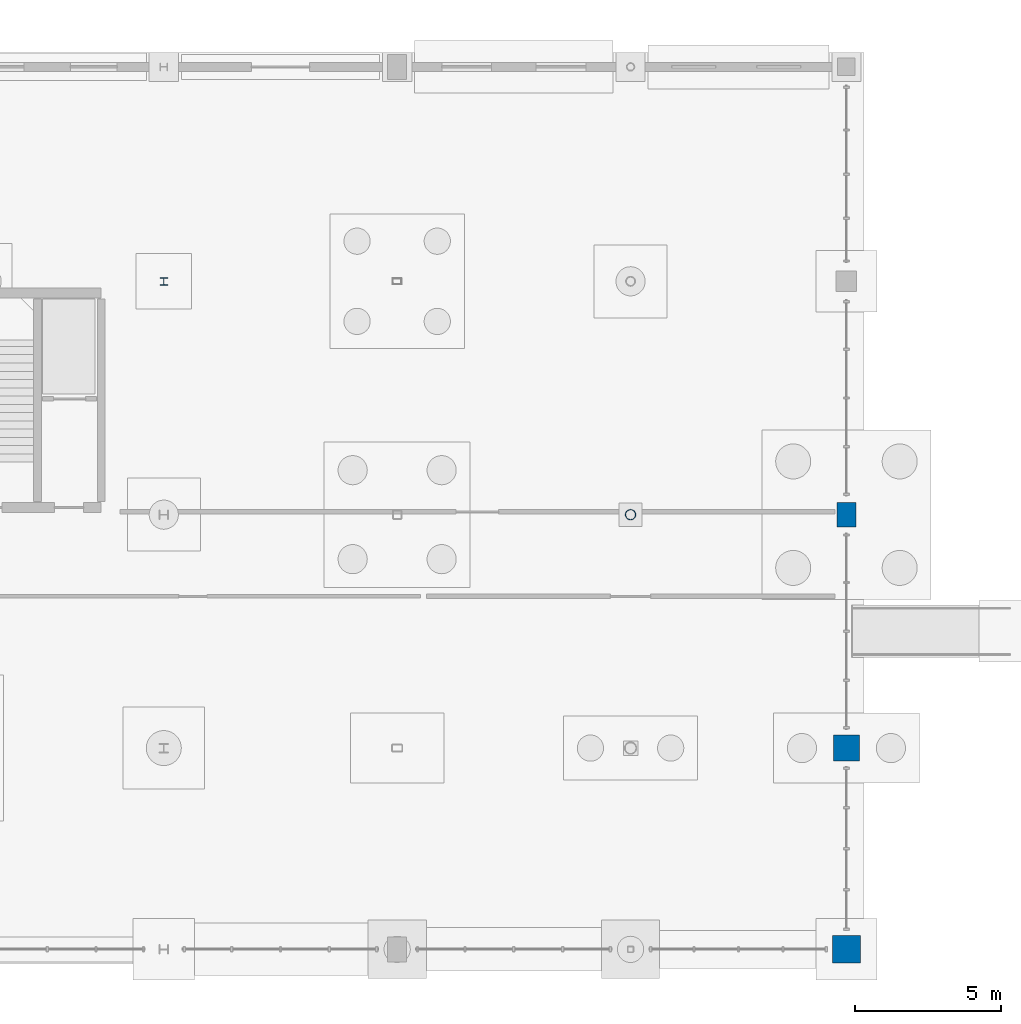
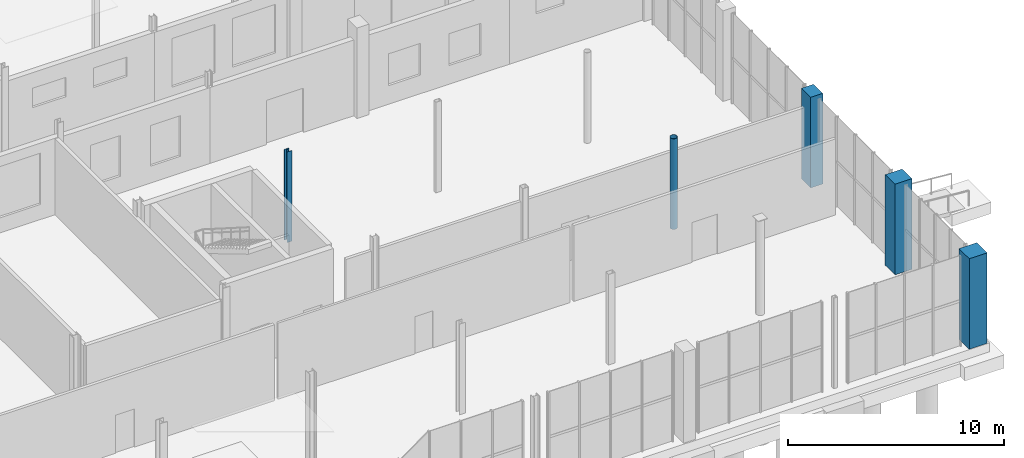
# One storey, part 28 of 87: 5 columns.
"""IFC4 building model written with IfcOpenShell, lengths in metres."""

import ifcopenshell
import ifcopenshell.guid

model = None  # the IFC model being written
_history = None  # IfcOwnerHistory: only IFC2X3 demands one
_inside = {}  # id of a spatial element -> (the spatial element, [elements in it])
_under = {}  # id of a project, library or spatial element -> (it, [spatial elements below it])
_declared = {}  # id of a project -> (the project, [libraries it declares])
_typed = {}  # id of a type object -> (the type object, [elements of that type])
_made_of = {}  # id of a material, layer set ... -> (it, [elements and type objects made of it])


def new_model(schema):
    """Start an empty IFC model of exactly this schema.

    Asked for "IFC4X3", IfcOpenShell would pick the latest addendum, in which some entities
    have other attributes; the version numbers below select the first issue.
    IFC2X3 requires an IfcOwnerHistory on every rooted entity: one is made here for all.
    """
    global model, _history
    if schema == "IFC4X3":
        model = ifcopenshell.file(schema_version=(4, 3, 0, 0))
    else:
        model = ifcopenshell.file(schema=schema)
    _inside.clear()
    _under.clear()
    _declared.clear()
    _typed.clear()
    _made_of.clear()
    _history = None
    if model.schema == "IFC2X3":
        org = make("IfcOrganization", Name="unknown")
        user = make(
            "IfcPersonAndOrganization",
            ThePerson=make("IfcPerson", FamilyName="unknown"),
            TheOrganization=org,
        )
        app = make(
            "IfcApplication",
            ApplicationDeveloper=org,
            Version="unknown",
            ApplicationFullName="unknown",
            ApplicationIdentifier="unknown",
        )
        _history = make(
            "IfcOwnerHistory",
            OwningUser=user,
            OwningApplication=app,
            ChangeAction="ADDED",
            CreationDate=0,
        )
    return model


def make(cls, **values):
    """One entity of the class cls with the attributes given. An attribute that is None is left unset."""
    return model.create_entity(
        cls, **{name: value for name, value in values.items() if value is not None}
    )


def rooted(cls, **values):
    """An entity with a GlobalId (a new one), such as an element, a storey or a relation."""
    return make(cls, GlobalId=ifcopenshell.guid.new(), OwnerHistory=_history, **values)


def si_unit(unit_type, name, prefix=None):
    """IfcSIUnit, for example si_unit("LENGTHUNIT", "METRE", prefix="MILLI")."""
    return make("IfcSIUnit", UnitType=unit_type, Prefix=prefix, Name=name)


def assignment(units):
    """IfcUnitAssignment: the units of a project."""
    return None if units is None else make("IfcUnitAssignment", Units=units)


def point(xyz):
    """IfcCartesianPoint."""
    return None if xyz is None else make("IfcCartesianPoint", Coordinates=xyz)


def direction(xyz):
    """IfcDirection."""
    return None if xyz is None else make("IfcDirection", DirectionRatios=xyz)


def frame(location, z_axis=None, x_axis=None):
    """IfcAxis2Placement3D, a coordinate frame: its origin and axes. An axis left out is left unset."""
    return make(
        "IfcAxis2Placement3D",
        Location=point(location),
        Axis=direction(z_axis),
        RefDirection=direction(x_axis),
    )


def frame_2d(location, x_axis=None):
    """IfcAxis2Placement2D, a coordinate frame in the plane: its origin and x axis."""
    return make(
        "IfcAxis2Placement2D", Location=point(location), RefDirection=direction(x_axis)
    )


def origin():
    """The frame at (0, 0, 0) with its axes left unset."""
    return frame((0.0, 0.0, 0.0))


def origin_2d():
    """The frame at (0, 0) in the plane with its x axis left unset."""
    return frame_2d((0.0, 0.0))


def place(relative_to, where):
    """IfcLocalPlacement: puts the frame where relative to a parent placement (None: the world)."""
    return make(
        "IfcLocalPlacement", PlacementRelTo=relative_to, RelativePlacement=where
    )


def context(
    kind, dimensions, precision=None, world=None, true_north=None, identifier=None
):
    """IfcGeometricRepresentationContext, for example the 3D "Model" context."""
    return make(
        "IfcGeometricRepresentationContext",
        ContextIdentifier=identifier,
        ContextType=kind,
        CoordinateSpaceDimension=dimensions,
        Precision=precision,
        WorldCoordinateSystem=world,
        TrueNorth=true_north,
    )


def subcontext(parent, identifier, kind, view, scale=None):
    """IfcGeometricRepresentationSubContext, for example "Body" below "Model"."""
    return make(
        "IfcGeometricRepresentationSubContext",
        ContextIdentifier=identifier,
        ContextType=kind,
        ParentContext=parent,
        TargetScale=scale,
        TargetView=view,
    )


def project(units=None, contexts=None):
    """IfcProject with its units and contexts."""
    return rooted(
        "IfcProject",
        Name="project",
        RepresentationContexts=contexts,
        UnitsInContext=assignment(units),
    )


def spatial(cls, under=None, at=None, **own):
    """A site, building, storey or space (cls), placed at a placement, below another one or the project."""
    s = rooted(cls, ObjectPlacement=at, **own)
    if under is not None:
        _under.setdefault(under.id(), (under, []))[1].append(s)
    return s


def profile(cls, at=None, kind="AREA", **sizes):
    """A parametric profile (cls). Its sizes go by their IFC names, for example OverallWidth=200.0."""
    return make(cls, ProfileType=kind, Position=at, **sizes)


def rectangle(**sizes):
    """IfcRectangleProfileDef."""
    return profile("IfcRectangleProfileDef", **sizes)


def hollow_circle(**sizes):
    """IfcCircleHollowProfileDef."""
    return profile("IfcCircleHollowProfileDef", **sizes)


def i_section(**sizes):
    """IfcIShapeProfileDef."""
    return profile("IfcIShapeProfileDef", **sizes)


def extrude(swept, where, along, depth):
    """IfcExtrudedAreaSolid: the profile swept, set in the frame where, extruded along a direction by depth."""
    return make(
        "IfcExtrudedAreaSolid",
        SweptArea=swept,
        Position=where,
        ExtrudedDirection=direction(along),
        Depth=depth,
    )


def shape(context_of_items, identifier, shape_type, items):
    """IfcShapeRepresentation: the items that make up one representation, for example the "Body"."""
    return make(
        "IfcShapeRepresentation",
        ContextOfItems=context_of_items,
        RepresentationIdentifier=identifier,
        RepresentationType=shape_type,
        Items=items,
    )


def material(Name=None, Category=None):
    """IfcMaterial."""
    return make("IfcMaterial", Name=Name, Category=Category)


def material_profile(
    of_material, cross_section, Name=None, Category=None, Priority=None
):
    """IfcMaterialProfile: a cross section and its material."""
    return make(
        "IfcMaterialProfile",
        Name=Name,
        Material=of_material,
        Profile=cross_section,
        Priority=Priority,
        Category=Category,
    )


def profile_set(profiles, Name=None, composite=None):
    """IfcMaterialProfileSet."""
    return make(
        "IfcMaterialProfileSet",
        Name=Name,
        MaterialProfiles=profiles,
        CompositeProfile=composite,
    )


def made_of(thing, what):
    """Note that an element or type object is made of a material, layer set ...; save() writes the relation."""
    if what is not None:
        _made_of.setdefault(what.id(), (what, []))[1].append(thing)
    return thing


def type_object(cls, material=None, **own):
    """A type object (cls), such as IfcWallType, which elements share."""
    return made_of(rooted(cls, **own), material)


def element(
    cls,
    number,
    at=None,
    inside=None,
    cuts=None,
    type_object=None,
    material=None,
    context=None,
    identifier="Body",
    shape_type=None,
    held_by="IfcProductDefinitionShape",
    body=None,
    shapes=None,
    **own,
):
    """One element of the class cls, such as IfcWall. Its Tag is "e" and its number.

    at: its placement. inside: the storey or other place that contains it. cuts: it is an
    opening in that element (IfcRelVoidsElement). A single representation is given by context,
    identifier, shape_type and body (its items); several are given by shapes. held_by: the class
    of the entity that holds the representations. save() writes the other relations.
    """
    e = rooted(cls, Tag="e%d" % number, ObjectPlacement=at, **own)
    if body is not None:
        shapes = [shape(context, identifier, shape_type, body)]
    if shapes is not None:
        e.Representation = make(held_by, Representations=shapes)
    if inside is not None:
        _inside.setdefault(inside.id(), (inside, []))[1].append(e)
    if cuts is not None:
        rooted(
            "IfcRelVoidsElement", RelatingBuildingElement=cuts, RelatedOpeningElement=e
        )
    if type_object is not None:
        _typed.setdefault(type_object.id(), (type_object, []))[1].append(e)
    return made_of(e, material)


def aggregate(whole, parts):
    """IfcRelAggregates: a whole, such as a stair, and the parts it consists of."""
    return rooted("IfcRelAggregates", RelatingObject=whole, RelatedObjects=parts)


def save(model, path):
    """Write the relations noted so far, then the file.

    IfcRelAggregates (storeys below a building ...), IfcRelContainedInSpatialStructure (elements
    in a storey), IfcRelDefinesByType, IfcRelAssociatesMaterial and IfcRelDeclares: one each for
    every whole, place, type object, material and project.
    """
    for whole, parts in _under.values():
        aggregate(whole, parts)
    for where, things in _inside.values():
        rooted(
            "IfcRelContainedInSpatialStructure",
            RelatedElements=things,
            RelatingStructure=where,
        )
    for kind, things in _typed.values():
        rooted("IfcRelDefinesByType", RelatedObjects=things, RelatingType=kind)
    for what, things in _made_of.values():
        rooted("IfcRelAssociatesMaterial", RelatedObjects=things, RelatingMaterial=what)
    for by, libraries in _declared.values():
        rooted("IfcRelDeclares", RelatingContext=by, RelatedDefinitions=libraries)
    model.write(path)


model = new_model("IFC4")

# Units and contexts
model_context = context("Model", 3, precision=1e-05, world=origin(), true_north=direction((0.0, 1.0)))
body_context = subcontext(model_context, "Body", "Model", "MODEL_VIEW")
ifc_project = project(units=[si_unit("LENGTHUNIT", "METRE"), si_unit("AREAUNIT", "SQUARE_METRE"), si_unit("VOLUMEUNIT", "CUBIC_METRE"), si_unit("PLANEANGLEUNIT", "RADIAN"), si_unit("MASSUNIT", "GRAM", prefix="KILO")], contexts=[model_context])

# Site, building, storey
site_placement = place(None, origin())
site = spatial("IfcSite", under=ifc_project, at=site_placement, CompositionType="ELEMENT")
building_placement = place(site_placement, origin())
building = spatial("IfcBuilding", under=site, at=building_placement, Name="Brisemont Oceanarium", CompositionType="ELEMENT")
storey_placement = place(building_placement, origin())
storey = spatial("IfcBuildingStorey", under=building, at=storey_placement, Name="L00", CompositionType="ELEMENT", Elevation=0.0)

# Columns
ifc_material_1 = material(Name="Structural Steel ASTM A500 Gr.C", Category="steel")
ifc_material_profile_1 = material_profile(ifc_material_1, hollow_circle(Radius=0.177978515625, WallThickness=0.01171875, at=origin_2d()), Name="HSS14.000X0.500")
ifc_profile_set_1 = profile_set([ifc_material_profile_1], Name="Structural Steel ASTM A500 Gr.C")
column_type_1 = type_object("IfcColumnType", Name="COL-CHS14", PredefinedType="COLUMN", material=ifc_profile_set_1)
column_1_placement = place(storey_placement, frame((152.0, 16.0, 0.0), z_axis=(0.0, 0.0, 1.0), x_axis=(0.0, 1.0, 0.0)))
element("IfcColumn", 1, at=column_1_placement, inside=storey, type_object=column_type_1, Name="V3 L00 column (5,2)", PredefinedType="COLUMN", context=body_context, shape_type="SweptSolid", body=[
    extrude(hollow_circle(Radius=0.177978515625, WallThickness=0.01171875, at=origin_2d()), origin(), (0.0, 0.0, 1.0), 5.1201171875),
])
ifc_material_2 = material(Name="Concrete C40/50", Category="concrete")
ifc_material_profile_2 = material_profile(ifc_material_2, rectangle(XDim=0.89990234375, YDim=0.89990234375, at=origin_2d()), Name="RC-COL-900X900")
ifc_profile_set_2 = profile_set([ifc_material_profile_2], Name="Concrete C40/50")
column_type_2 = type_object("IfcColumnType", Name="COL-RC900", PredefinedType="COLUMN", material=ifc_profile_set_2)
column_2_placement = place(storey_placement, frame((159.39990234375, 8.0, 0.0), z_axis=(0.0, 0.0, 1.0), x_axis=(0.0, 1.0, 0.0)))
element("IfcColumn", 2, at=column_2_placement, inside=storey, type_object=column_type_2, Name="V3 L00 column (6,1)", PredefinedType="COLUMN", context=body_context, shape_type="SweptSolid", body=[
    extrude(rectangle(XDim=0.89990234375, YDim=0.89990234375, at=origin_2d()), origin(), (0.0, 0.0, 1.0), 5.1201171875),
])
ifc_material_3 = material(Name="Concrete C40/50", Category="concrete")
ifc_material_profile_3 = material_profile(ifc_material_3, rectangle(XDim=0.949951171875, YDim=0.949951171875, at=origin_2d()), Name="RC-COL-950X950")
ifc_profile_set_3 = profile_set([ifc_material_profile_3], Name="Concrete C40/50")
column_type_3 = type_object("IfcColumnType", Name="COL-RC950", PredefinedType="COLUMN", material=ifc_profile_set_3)
column_3_placement = place(storey_placement, frame((159.39990234375, 1.10009765625, 0.0), z_axis=(0.0, 0.0, 1.0), x_axis=(1.0, 0.0, 0.0)))
element("IfcColumn", 3, at=column_3_placement, inside=storey, type_object=column_type_3, Name="V3 L00 column (6,0)", PredefinedType="COLUMN", context=body_context, shape_type="SweptSolid", body=[
    extrude(rectangle(XDim=0.949951171875, YDim=0.949951171875, at=origin_2d()), origin(), (0.0, 0.0, 1.0), 5.1201171875),
])
ifc_material_4 = material(Name="Structural Steel ASTM A992 Gr.50", Category="steel")
ifc_material_profile_4 = material_profile(ifc_material_4, i_section(OverallWidth=0.256103515625, OverallDepth=0.260009765625, WebThickness=0.0107421875, FlangeThickness=0.017333984375, FilletRadius=0.010986328125, at=origin_2d()), Name="W10X60")
ifc_profile_set_4 = profile_set([ifc_material_profile_4], Name="Structural Steel ASTM A992 Gr.50")
column_type_4 = type_object("IfcColumnType", Name="COL-W10X60", PredefinedType="COLUMN", material=ifc_profile_set_4)
column_4_placement = place(storey_placement, frame((136.0, 24.0, 0.0), z_axis=(0.0, 0.0, 1.0), x_axis=(1.0, 0.0, 0.0)))
element("IfcColumn", 4, at=column_4_placement, inside=storey, type_object=column_type_4, Name="V3 L00 column (3,3)", PredefinedType="COLUMN", context=body_context, shape_type="SweptSolid", body=[
    extrude(i_section(OverallWidth=0.256103515625, OverallDepth=0.260009765625, WebThickness=0.0107421875, FlangeThickness=0.017333984375, FilletRadius=0.010986328125, at=origin_2d()), origin(), (0.0, 0.0, 1.0), 5.1201171875),
])
ifc_material_5 = material(Name="Precast Concrete C40/50", Category="concrete")
ifc_material_profile_5 = material_profile(ifc_material_5, rectangle(XDim=0.64990234375, YDim=0.85009765625, at=origin_2d()), Name="RC-PIL-650X850")
ifc_profile_set_5 = profile_set([ifc_material_profile_5], Name="Precast Concrete C40/50")
column_type_5 = type_object("IfcColumnType", Name="PIL-RC650X850", PredefinedType="PILASTER", material=ifc_profile_set_5)
column_5_placement = place(storey_placement, frame((159.39990234375, 16.0, 0.0), z_axis=(0.0, 0.0, 1.0), x_axis=(1.0, 0.0, 0.0)))
element("IfcColumn", 5, at=column_5_placement, inside=storey, type_object=column_type_5, Name="V3 L00 column (6,2)", PredefinedType="PILASTER", context=body_context, shape_type="SweptSolid", body=[
    extrude(rectangle(XDim=0.64990234375, YDim=0.85009765625, at=origin_2d()), origin(), (0.0, 0.0, 1.0), 5.1201171875),
])

save(model, "model.ifc")
